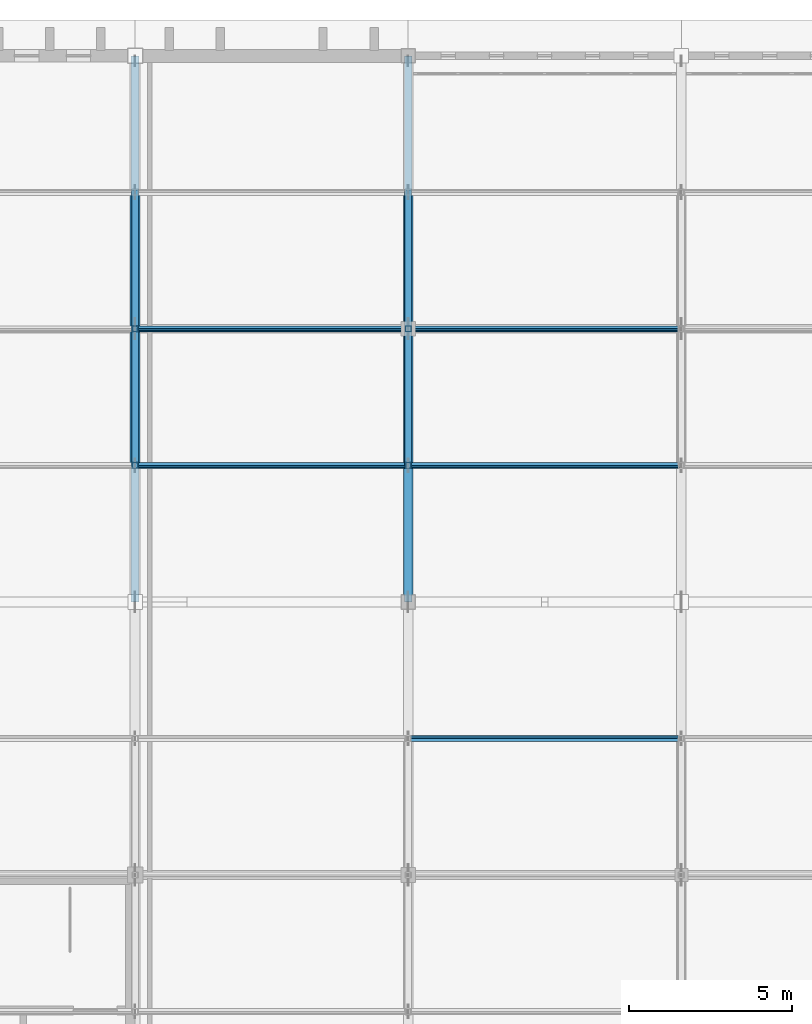
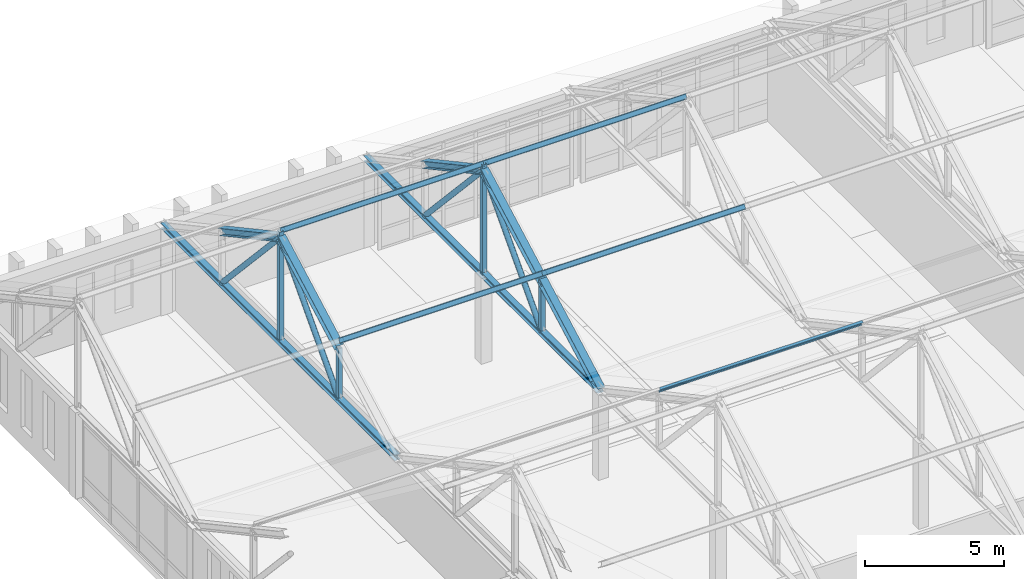
# One storey, part 29 of 110: 20 members.
"""IFC4 building model written with IfcOpenShell, lengths in metres."""

from ifc_helpers import new_model, si_unit, direction, frame, origin, origin_2d, place, context, subcontext, project, spatial, hollow_rectangle, hollow_circle, i_section, extrude, material, material_profile, profile_set, type_object, element, save


model = new_model("IFC4")

# Units and contexts
model_context = context("Model", 3, precision=1e-05, world=origin(), true_north=direction((0.0, 1.0)))
body_context = subcontext(model_context, "Body", "Model", "MODEL_VIEW")
ifc_project = project(units=[si_unit("LENGTHUNIT", "METRE"), si_unit("AREAUNIT", "SQUARE_METRE"), si_unit("VOLUMEUNIT", "CUBIC_METRE"), si_unit("PLANEANGLEUNIT", "RADIAN"), si_unit("MASSUNIT", "GRAM", prefix="KILO")], contexts=[model_context])

# Site, building, storey
site_placement = place(None, origin())
site = spatial("IfcSite", under=ifc_project, at=site_placement, CompositionType="ELEMENT")
building_placement = place(site_placement, origin())
building = spatial("IfcBuilding", under=site, at=building_placement, Name="Kveldsbrygga Polytechnic", CompositionType="ELEMENT")
storey_placement = place(building_placement, frame((0.0, 0.0, 9.860107421875)))
storey = spatial("IfcBuildingStorey", under=building, at=storey_placement, Name="L02", CompositionType="ELEMENT", Elevation=9.860107421875)

# Members
ifc_material = material(Name="Steel S355", Category="steel")
ifc_material_profile_1 = material_profile(ifc_material, i_section(OverallWidth=0.10009765625, OverallDepth=0.199951171875, WebThickness=0.005615234375, FlangeThickness=0.008544921875, FilletRadius=0.011962890625, at=origin_2d()), Name="IPE 200")
ifc_profile_set_1 = profile_set([ifc_material_profile_1], Name="Steel S355")
member_type_1 = type_object("IfcMemberType", Name="PRL-IPE200", PredefinedType="PURLIN", material=ifc_profile_set_1)
member_1_placement = place(storey_placement, frame((58.800048828125, 96.60009765625, 6.33349609375), z_axis=(1.0, 0.0, 0.0), x_axis=(0.0, 0.879292204483, 0.476282709256)))
element("IfcMember", 1, at=member_1_placement, inside=storey, type_object=member_type_1, Name="Roof Purlin V2L1-PRL-3-3", PredefinedType="PURLIN", context=body_context, shape_type="SweptSolid", body=[
    extrude(i_section(OverallWidth=0.10009765625, OverallDepth=0.199951171875, WebThickness=0.005615234375, FlangeThickness=0.008544921875, FilletRadius=0.011962890625, at=origin_2d()), origin(), (0.0, 0.0, 1.0), 8.39990234375),
])
for number, where, z_axis, x_axis, name in (
    (2, (50.39990234375, 105.0, 6.33349609375), (1.0, 0.0, 0.0), (0.0, 0.879292204483, -0.476282709256), "Roof Purlin V2L2-PRL-2-1"),
    (3, (50.39990234375, 109.199951171875, 8.608642578125), (1.0, 0.0, 0.0), (0.0, 0.879292204483, -0.476282709256), "Roof Purlin V2L2-PRL-2-2"),
):
    element("IfcMember", number, at=place(storey_placement, frame(where, z_axis=z_axis, x_axis=x_axis)), inside=storey, type_object=member_type_1, Name=name, PredefinedType="PURLIN", context=body_context, shape_type="SweptSolid", body=[
        extrude(i_section(OverallWidth=0.10009765625, OverallDepth=0.199951171875, WebThickness=0.005615234375, FlangeThickness=0.008544921875, FilletRadius=0.011962890625, at=origin_2d()), origin(), (0.0, 0.0, 1.0), 8.400146484375),
    ])
for number, where, z_axis, x_axis, name in (
    (4, (58.800048828125, 105.0, 6.33349609375), (1.0, 0.0, 0.0), (0.0, 0.879292204483, -0.476282709256), "Roof Purlin V2L2-PRL-3-1"),
    (5, (58.800048828125, 109.199951171875, 8.608642578125), (1.0, 0.0, 0.0), (0.0, 0.879292204483, -0.476282709256), "Roof Purlin V2L2-PRL-3-2"),
):
    element("IfcMember", number, at=place(storey_placement, frame(where, z_axis=z_axis, x_axis=x_axis)), inside=storey, type_object=member_type_1, Name=name, PredefinedType="PURLIN", context=body_context, shape_type="SweptSolid", body=[
        extrude(i_section(OverallWidth=0.10009765625, OverallDepth=0.199951171875, WebThickness=0.005615234375, FlangeThickness=0.008544921875, FilletRadius=0.011962890625, at=origin_2d()), origin(), (0.0, 0.0, 1.0), 8.39990234375),
    ])
ifc_material_profile_2 = material_profile(ifc_material, i_section(OverallWidth=0.239990234375, OverallDepth=0.22998046875, WebThickness=0.007568359375, FlangeThickness=0.011962890625, FilletRadius=0.02099609375, at=origin_2d()), Name="HEA 240")
ifc_profile_set_2 = profile_set([ifc_material_profile_2], Name="Steel S355")
member_type_2 = type_object("IfcMemberType", Name="TR-BOT-HEA240", PredefinedType="CHORD", material=ifc_profile_set_2)
for number, where, z_axis, x_axis, name in (
    (6, (50.39990234375, 100.800048828125, 3.77978515625), (0.0, 1.0, 0.0), (-1.0, 0.0, 0.0), "Truss Bottom Chord V2L2-T02-BC-1"),
    (7, (58.800048828125, 100.800048828125, 3.77978515625), (0.0, 1.0, 0.0), (-1.0, 0.0, 0.0), "Truss Bottom Chord V2L2-T03-BC-1"),
):
    element("IfcMember", number, at=place(storey_placement, frame(where, z_axis=z_axis, x_axis=x_axis)), inside=storey, type_object=member_type_2, Name=name, PredefinedType="CHORD", context=body_context, shape_type="SweptSolid", body=[
        extrude(i_section(OverallWidth=0.239990234375, OverallDepth=0.22998046875, WebThickness=0.007568359375, FlangeThickness=0.011962890625, FilletRadius=0.02099609375, at=origin_2d()), origin(), (0.0, 0.0, 1.0), 16.800048828125),
    ])
ifc_material_profile_3 = material_profile(ifc_material, hollow_circle(Radius=0.109619140625, WallThickness=0.012451171875, at=origin_2d()), Name="CHS 219.1x12.5")
ifc_profile_set_3 = profile_set([ifc_material_profile_3], Name="Steel S355")
member_type_3 = type_object("IfcMemberType", Name="TR-DIAG-CHS219", PredefinedType="BRACE", material=ifc_profile_set_3)
for number, where, z_axis, x_axis, name in (
    (8, (50.39990234375, 105.0, 3.77978515625), (0.0, 0.678271914864, 0.734811002576), (-1.0, 0.0, 0.0), "Truss Diagonal V2L2-T02-DG-2"),
    (9, (50.39990234375, 109.199951171875, 8.329833984375), (0.0, 0.678271914864, -0.734811002576), (-1.0, 0.0, 0.0), "Truss Diagonal V2L2-T02-DG-3"),
    (10, (58.800048828125, 105.0, 3.77978515625), (0.0, 0.678271914864, 0.734811002576), (-1.0, 0.0, 0.0), "Truss Diagonal V2L2-T03-DG-2"),
    (11, (58.800048828125, 109.199951171875, 8.329833984375), (0.0, 0.678271914864, -0.734811002576), (-1.0, 0.0, 0.0), "Truss Diagonal V2L2-T03-DG-3"),
):
    element("IfcMember", number, at=place(storey_placement, frame(where, z_axis=z_axis, x_axis=x_axis)), inside=storey, type_object=member_type_3, Name=name, PredefinedType="BRACE", context=body_context, shape_type="SweptSolid", body=[
        extrude(hollow_circle(Radius=0.109619140625, WallThickness=0.012451171875, at=origin_2d()), origin(), (0.0, 0.0, 1.0), 6.192138671875),
    ])
ifc_material_profile_4 = material_profile(ifc_material, hollow_rectangle(XDim=0.179931640625, YDim=0.179931640625, WallThickness=0.010009765625, at=origin_2d()), Name="SHS 180x180x10.0")
ifc_profile_set_4 = profile_set([ifc_material_profile_4], Name="Steel S355")
member_type_4 = type_object("IfcMemberType", Name="TR-POST-SHS180", PredefinedType="STRUT", material=ifc_profile_set_4)
member_2_placement = place(storey_placement, frame((50.39990234375, 105.0, 3.77978515625), z_axis=(0.0, 0.0, 1.0), x_axis=(1.0, 0.0, 0.0)))
element("IfcMember", 12, at=member_2_placement, inside=storey, type_object=member_type_4, Name="Truss Vertical V2L2-T02-VT-1", PredefinedType="STRUT", context=body_context, shape_type="SweptSolid", body=[
    extrude(hollow_rectangle(XDim=0.179931640625, YDim=0.179931640625, WallThickness=0.010009765625, at=origin_2d()), origin(), (0.0, 0.0, 1.0), 2.275146484375),
])
member_3_placement = place(storey_placement, frame((50.39990234375, 109.199951171875, 3.77978515625), z_axis=(0.0, 0.0, 1.0), x_axis=(1.0, 0.0, 0.0)))
element("IfcMember", 13, at=member_3_placement, inside=storey, type_object=member_type_4, Name="Truss Vertical V2L2-T02-VT-2", PredefinedType="STRUT", context=body_context, shape_type="SweptSolid", body=[
    extrude(hollow_rectangle(XDim=0.179931640625, YDim=0.179931640625, WallThickness=0.010009765625, at=origin_2d()), origin(), (0.0, 0.0, 1.0), 4.828857421875),
])
member_4_placement = place(storey_placement, frame((58.800048828125, 105.0, 3.77978515625), z_axis=(0.0, 0.0, 1.0), x_axis=(1.0, 0.0, 0.0)))
element("IfcMember", 14, at=member_4_placement, inside=storey, type_object=member_type_4, Name="Truss Vertical V2L2-T03-VT-1", PredefinedType="STRUT", context=body_context, shape_type="SweptSolid", body=[
    extrude(hollow_rectangle(XDim=0.179931640625, YDim=0.179931640625, WallThickness=0.010009765625, at=origin_2d()), origin(), (0.0, 0.0, 1.0), 2.275146484375),
])
member_5_placement = place(storey_placement, frame((58.800048828125, 109.199951171875, 3.77978515625), z_axis=(0.0, 0.0, 1.0), x_axis=(1.0, 0.0, 0.0)))
element("IfcMember", 15, at=member_5_placement, inside=storey, type_object=member_type_4, Name="Truss Vertical V2L2-T03-VT-2", PredefinedType="STRUT", context=body_context, shape_type="SweptSolid", body=[
    extrude(hollow_rectangle(XDim=0.179931640625, YDim=0.179931640625, WallThickness=0.010009765625, at=origin_2d()), origin(), (0.0, 0.0, 1.0), 4.828857421875),
])
ifc_material_profile_5 = material_profile(ifc_material, i_section(OverallWidth=0.300048828125, OverallDepth=0.2900390625, WebThickness=0.008544921875, FlangeThickness=0.013916015625, FilletRadius=0.027099609375, at=origin_2d()), Name="HEA 300")
ifc_profile_set_5 = profile_set([ifc_material_profile_5], Name="Steel S355")
member_type_5 = type_object("IfcMemberType", Name="TR-TOP-HEA300", PredefinedType="CHORD", material=ifc_profile_set_5)
for number, where, z_axis, x_axis, name in (
    (16, (50.39990234375, 105.0, 6.054931640625), (0.0, 0.879298209803, 0.47627162233), (-1.0, 0.0, 0.0), "Truss Top Chord V2L2-T02-TC-2"),
    (17, (50.39990234375, 109.199951171875, 8.329833984375), (0.0, 0.879298209803, -0.47627162233), (-1.0, 0.0, 0.0), "Truss Top Chord V2L2-T02-TC-3"),
):
    element("IfcMember", number, at=place(storey_placement, frame(where, z_axis=z_axis, x_axis=x_axis)), inside=storey, type_object=member_type_5, Name=name, PredefinedType="CHORD", context=body_context, shape_type="SweptSolid", body=[
        extrude(i_section(OverallWidth=0.300048828125, OverallDepth=0.2900390625, WebThickness=0.008544921875, FlangeThickness=0.013916015625, FilletRadius=0.027099609375, at=origin_2d()), origin(), (0.0, 0.0, 1.0), 4.7763671875),
    ])
member_6_placement = place(storey_placement, frame((58.800048828125, 100.800048828125, 3.77978515625), z_axis=(0.0, 0.879276804059, 0.476311139744), x_axis=(-1.0, 0.0, 0.0)))
element("IfcMember", 18, at=member_6_placement, inside=storey, type_object=member_type_5, Name="Truss Top Chord V2L2-T03-TC-1", PredefinedType="CHORD", context=body_context, shape_type="SweptSolid", body=[
    extrude(i_section(OverallWidth=0.300048828125, OverallDepth=0.2900390625, WebThickness=0.008544921875, FlangeThickness=0.013916015625, FilletRadius=0.027099609375, at=origin_2d()), origin(), (0.0, 0.0, 1.0), 4.776611328125),
])
for number, where, z_axis, x_axis, name in (
    (19, (58.800048828125, 105.0, 6.054931640625), (0.0, 0.879298209803, 0.47627162233), (-1.0, 0.0, 0.0), "Truss Top Chord V2L2-T03-TC-2"),
    (20, (58.800048828125, 109.199951171875, 8.329833984375), (0.0, 0.879298209803, -0.47627162233), (-1.0, 0.0, 0.0), "Truss Top Chord V2L2-T03-TC-3"),
):
    element("IfcMember", number, at=place(storey_placement, frame(where, z_axis=z_axis, x_axis=x_axis)), inside=storey, type_object=member_type_5, Name=name, PredefinedType="CHORD", context=body_context, shape_type="SweptSolid", body=[
        extrude(i_section(OverallWidth=0.300048828125, OverallDepth=0.2900390625, WebThickness=0.008544921875, FlangeThickness=0.013916015625, FilletRadius=0.027099609375, at=origin_2d()), origin(), (0.0, 0.0, 1.0), 4.7763671875),
    ])

save(model, "model.ifc")
